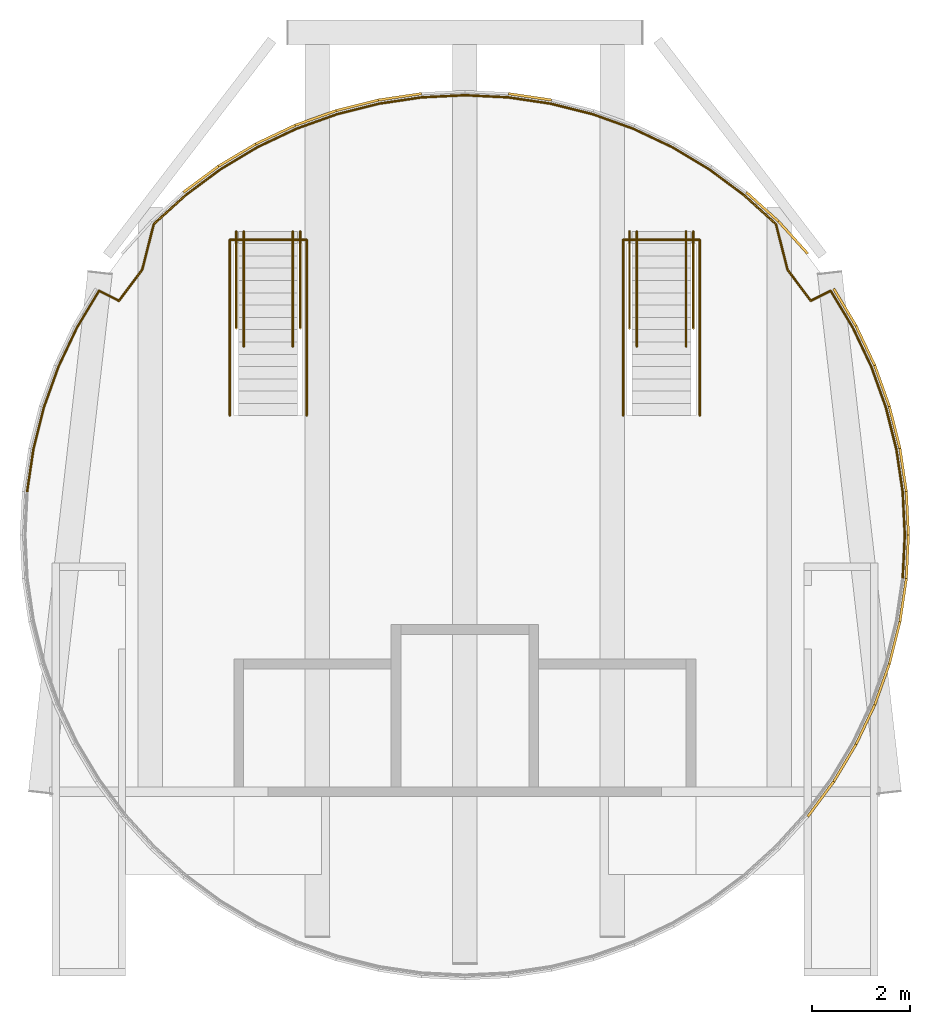
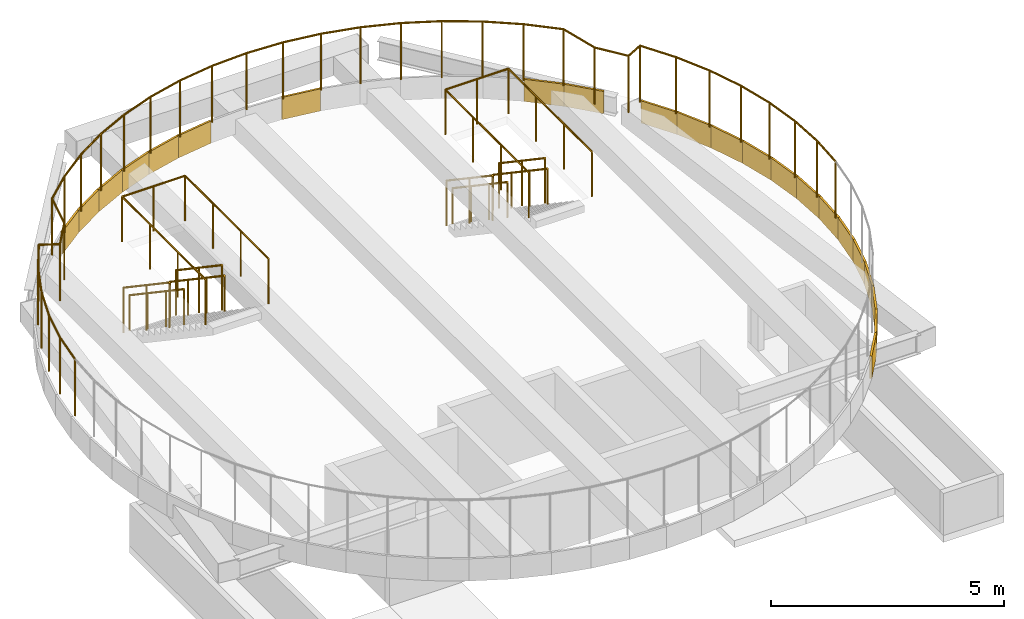
# One storey, part 3 of 4: 22 shading devices, 12 railings.
"""IFC4 building model written with IfcOpenShell, lengths in metres."""

from ifc_helpers import new_model, si_unit, direction, frame, origin, origin_2d, place, context, subcontext, project, spatial, polyline, circle, outline, extrude, material, layer, layer_set, type_object, element, save


model = new_model("IFC4")

# Units and contexts
model_context = context("Model", 3, precision=1e-05, world=origin(), true_north=direction((0.0, 1.0)))
body_context = subcontext(model_context, "Body", "Model", "MODEL_VIEW")
ifc_project = project(units=[si_unit("LENGTHUNIT", "METRE"), si_unit("AREAUNIT", "SQUARE_METRE"), si_unit("VOLUMEUNIT", "CUBIC_METRE"), si_unit("PLANEANGLEUNIT", "RADIAN"), si_unit("MASSUNIT", "GRAM", prefix="KILO")], contexts=[model_context])

# Site, building, storey
site_placement = place(None, origin())
site = spatial("IfcSite", under=ifc_project, at=site_placement, CompositionType="ELEMENT")
building_placement = place(site_placement, origin())
building = spatial("IfcBuilding", under=site, at=building_placement, Name="Fogline Exchange Tower", CompositionType="ELEMENT")
storey_placement = place(building_placement, frame((0.0, 0.0, 372.10009765625)))
storey = spatial("IfcBuildingStorey", under=building, at=storey_placement, Name="RF-3", CompositionType="ELEMENT", Elevation=372.10009765625)

# Railings
ifc_material_1 = material(Name="Stainless steel 304", Category="steel")
railing_type_1 = type_object("IfcRailingType", Name="G1", PredefinedType="GUARDRAIL", material=ifc_material_1)
for number, where, name in (
    (1, (-3.35009765625, 17.14990234375, 0.168701171875), "Pad stair guard HS3U"),
    (2, (-4.64990234375, 17.14990234375, 0.168701171875), "Pad stair guard HS3U"),
):
    element("IfcRailing", number, at=place(storey_placement, frame(where)), inside=storey, type_object=railing_type_1, Name=name, PredefinedType="GUARDRAIL", context=body_context, shape_type="SweptSolid", body=[
        extrude(circle(Radius=0.02392578125, at=origin_2d()), frame((0.0, 0.0, 1.17578125), z_axis=(0.0, -0.828832020996, 0.559497525438), x_axis=(1.0, 0.0, 0.0)), (0.0, 0.0, 1.0), 2.37939453125),
        extrude(circle(Radius=0.02099609375, at=origin_2d()), origin(), (0.0, 0.0, 1.0), 1.15185546875),
        extrude(circle(Radius=0.02099609375, at=origin_2d()), frame((0.0, -0.986083984375, 0.66552734375)), (0.0, 0.0, 1.0), 1.15185546875),
        extrude(circle(Radius=0.02099609375, at=origin_2d()), frame((0.0, -1.97216796875, 1.331298828125)), (0.0, 0.0, 1.0), 1.15185546875),
    ])
railing_1_placement = place(storey_placement, frame((-4.780029296875, 13.402099609375, 2.699951171875)))
element("IfcRailing", 3, at=railing_1_placement, inside=storey, type_object=railing_type_1, Name="Helipad stair opening guard", PredefinedType="GUARDRAIL", context=body_context, shape_type="SweptSolid", body=[
    extrude(circle(Radius=0.02392578125, at=origin_2d()), frame((0.0, 0.0, 1.17578125), z_axis=(0.0, 1.0, 0.0), x_axis=(-1.0, 0.0, 0.0)), (0.0, 0.0, 1.0), 3.577880859375),
    extrude(circle(Radius=0.02392578125, at=origin_2d()), frame((0.0, 3.577880859375, 1.17578125), z_axis=(1.0, 0.0, 0.0), x_axis=(0.0, 1.0, 0.0)), (0.0, 0.0, 1.0), 1.56005859375),
    extrude(circle(Radius=0.02392578125, at=origin_2d()), frame((1.56005859375, 3.577880859375, 1.17578125), z_axis=(0.0, -1.0, 0.0), x_axis=(1.0, 0.0, 0.0)), (0.0, 0.0, 1.0), 3.577880859375),
    extrude(circle(Radius=0.02099609375, at=origin_2d()), origin(), (0.0, 0.0, 1.0), 1.15185546875),
    extrude(circle(Radius=0.02099609375, at=origin_2d()), frame((0.0, 1.192626953125, 0.0)), (0.0, 0.0, 1.0), 1.15185546875),
    extrude(circle(Radius=0.02099609375, at=origin_2d()), frame((0.0, 2.38525390625, 0.0)), (0.0, 0.0, 1.0), 1.15185546875),
    extrude(circle(Radius=0.02099609375, at=origin_2d()), frame((0.0, 3.577880859375, 0.0)), (0.0, 0.0, 1.0), 1.15185546875),
    extrude(circle(Radius=0.02099609375, at=origin_2d()), frame((0.780029296875, 3.577880859375, 0.0)), (0.0, 0.0, 1.0), 1.15185546875),
    extrude(circle(Radius=0.02099609375, at=origin_2d()), frame((1.56005859375, 3.577880859375, 0.0)), (0.0, 0.0, 1.0), 1.15185546875),
    extrude(circle(Radius=0.02099609375, at=origin_2d()), frame((1.56005859375, 2.38525390625, 0.0)), (0.0, 0.0, 1.0), 1.15185546875),
    extrude(circle(Radius=0.02099609375, at=origin_2d()), frame((1.56005859375, 1.192626953125, 0.0)), (0.0, 0.0, 1.0), 1.15185546875),
    extrude(circle(Radius=0.02099609375, at=origin_2d()), frame((1.56005859375, 0.0, 0.0)), (0.0, 0.0, 1.0), 1.15185546875),
])
for number, where, name in (
    (4, (3.35009765625, 17.14990234375, 0.168701171875), "Pad stair guard HS4U"),
    (5, (4.64990234375, 17.14990234375, 0.168701171875), "Pad stair guard HS4U"),
):
    element("IfcRailing", number, at=place(storey_placement, frame(where)), inside=storey, type_object=railing_type_1, Name=name, PredefinedType="GUARDRAIL", context=body_context, shape_type="SweptSolid", body=[
        extrude(circle(Radius=0.02392578125, at=origin_2d()), frame((0.0, 0.0, 1.17578125), z_axis=(0.0, -0.828832020996, 0.559497525438), x_axis=(1.0, 0.0, 0.0)), (0.0, 0.0, 1.0), 2.37939453125),
        extrude(circle(Radius=0.02099609375, at=origin_2d()), origin(), (0.0, 0.0, 1.0), 1.15185546875),
        extrude(circle(Radius=0.02099609375, at=origin_2d()), frame((0.0, -0.986083984375, 0.66552734375)), (0.0, 0.0, 1.0), 1.15185546875),
        extrude(circle(Radius=0.02099609375, at=origin_2d()), frame((0.0, -1.97216796875, 1.331298828125)), (0.0, 0.0, 1.0), 1.15185546875),
    ])
railing_2_placement = place(storey_placement, frame((3.219970703125, 13.402099609375, 2.699951171875)))
element("IfcRailing", 6, at=railing_2_placement, inside=storey, type_object=railing_type_1, Name="Helipad stair opening guard", PredefinedType="GUARDRAIL", context=body_context, shape_type="SweptSolid", body=[
    extrude(circle(Radius=0.02392578125, at=origin_2d()), frame((0.0, 0.0, 1.17578125), z_axis=(0.0, 1.0, 0.0), x_axis=(-1.0, 0.0, 0.0)), (0.0, 0.0, 1.0), 3.577880859375),
    extrude(circle(Radius=0.02392578125, at=origin_2d()), frame((0.0, 3.577880859375, 1.17578125), z_axis=(1.0, 0.0, 0.0), x_axis=(0.0, 1.0, 0.0)), (0.0, 0.0, 1.0), 1.56005859375),
    extrude(circle(Radius=0.02392578125, at=origin_2d()), frame((1.56005859375, 3.577880859375, 1.17578125), z_axis=(0.0, -1.0, 0.0), x_axis=(1.0, 0.0, 0.0)), (0.0, 0.0, 1.0), 3.577880859375),
    extrude(circle(Radius=0.02099609375, at=origin_2d()), origin(), (0.0, 0.0, 1.0), 1.15185546875),
    extrude(circle(Radius=0.02099609375, at=origin_2d()), frame((0.0, 1.192626953125, 0.0)), (0.0, 0.0, 1.0), 1.15185546875),
    extrude(circle(Radius=0.02099609375, at=origin_2d()), frame((0.0, 2.38525390625, 0.0)), (0.0, 0.0, 1.0), 1.15185546875),
    extrude(circle(Radius=0.02099609375, at=origin_2d()), frame((0.0, 3.577880859375, 0.0)), (0.0, 0.0, 1.0), 1.15185546875),
    extrude(circle(Radius=0.02099609375, at=origin_2d()), frame((0.780029296875, 3.577880859375, 0.0)), (0.0, 0.0, 1.0), 1.15185546875),
    extrude(circle(Radius=0.02099609375, at=origin_2d()), frame((1.56005859375, 3.577880859375, 0.0)), (0.0, 0.0, 1.0), 1.15185546875),
    extrude(circle(Radius=0.02099609375, at=origin_2d()), frame((1.56005859375, 2.38525390625, 0.0)), (0.0, 0.0, 1.0), 1.15185546875),
    extrude(circle(Radius=0.02099609375, at=origin_2d()), frame((1.56005859375, 1.192626953125, 0.0)), (0.0, 0.0, 1.0), 1.15185546875),
    extrude(circle(Radius=0.02099609375, at=origin_2d()), frame((1.56005859375, 0.0, 0.0)), (0.0, 0.0, 1.0), 1.15185546875),
])
railing_type_2 = type_object("IfcRailingType", Name="G2", PredefinedType="GUARDRAIL", material=ifc_material_1)
railing_3_placement = place(storey_placement, frame((-8.906982421875, 11.847412109375, 2.699951171875)))
element("IfcRailing", 7, at=railing_3_placement, inside=storey, type_object=railing_type_2, Name="Helipad safety net guard", PredefinedType="GUARDRAIL", context=body_context, shape_type="SweptSolid", body=[
    extrude(circle(Radius=0.02392578125, at=origin_2d()), frame((0.0, 0.0, 1.47607421875), z_axis=(0.146790471398, 0.989167608399, 0.0), x_axis=(-0.989167608399, 0.146790471398, 0.0)), (0.0, 0.0, 1.0), 0.878173828125),
    extrude(circle(Radius=0.02392578125, at=origin_2d()), frame((0.12890625, 0.86865234375, 1.47607421875), z_axis=(0.24292800472, 0.970044320906, 0.0), x_axis=(-0.970044320906, 0.24292800472, 0.0)), (0.0, 0.0, 1.0), 0.87841796875),
    extrude(circle(Radius=0.02392578125, at=origin_2d()), frame((0.34228515625, 1.720703125, 1.47607421875), z_axis=(0.336917459354, 0.941534187155, 0.0), x_axis=(-0.941534187155, 0.336917459354, 0.0)), (0.0, 0.0, 1.0), 0.878173828125),
    extrude(circle(Radius=0.02392578125, at=origin_2d()), frame((0.63818359375, 2.547607421875, 1.47607421875), z_axis=(0.427536590389, 0.903998044178, 0.0), x_axis=(-0.903998044178, 0.427536590389, 0.0)), (0.0, 0.0, 1.0), 0.878173828125),
    extrude(circle(Radius=0.02392578125, at=origin_2d()), frame((1.013671875, 3.341552734375, 1.47607421875), z_axis=(0.51416874267, 0.857689048584, 0.0), x_axis=(-0.857689048584, 0.51416874267, 0.0)), (0.0, 0.0, 1.0), 0.87841796875),
    extrude(circle(Radius=0.02392578125, at=origin_2d()), frame((1.46533203125, 4.094970703125, 1.47607421875), z_axis=(0.892154411471, -0.451730568029, 0.0), x_axis=(0.451730568029, 0.892154411471, 0.0)), (0.0, 0.0, 1.0), 0.453369140625),
    extrude(circle(Radius=0.02392578125, at=origin_2d()), frame((1.869873046875, 3.89013671875, 1.47607421875), z_axis=(0.598862821399, 0.800851622428, 0.0), x_axis=(-0.800851622428, 0.598862821399, 0.0)), (0.0, 0.0, 1.0), 0.79052734375),
    extrude(circle(Radius=0.02392578125, at=origin_2d()), frame((2.34326171875, 4.523193359375, 1.47607421875), z_axis=(0.245594789477, 0.969372580271, 0.0), x_axis=(-0.969372580271, 0.245594789477, 0.0)), (0.0, 0.0, 1.0), 0.957275390625),
    extrude(circle(Radius=0.02392578125, at=origin_2d()), frame((2.578369140625, 5.451171875, 1.47607421875), z_axis=(0.740995595173, 0.671509886699, 0.0), x_axis=(-0.671509886699, 0.740995595173, 0.0)), (0.0, 0.0, 1.0), 0.87841796875),
    extrude(circle(Radius=0.02392578125, at=origin_2d()), frame((3.229248046875, 6.041015625, 1.47607421875), z_axis=(0.803158103208, 0.595765945024, 0.0), x_axis=(-0.595765945024, 0.803158103208, 0.0)), (0.0, 0.0, 1.0), 0.878173828125),
    extrude(circle(Radius=0.02392578125, at=origin_2d()), frame((3.9345703125, 6.564208984375, 1.47607421875), z_axis=(0.857689048584, 0.51416874267, 0.0), x_axis=(-0.51416874267, 0.857689048584, 0.0)), (0.0, 0.0, 1.0), 0.87841796875),
    extrude(circle(Radius=0.02392578125, at=origin_2d()), frame((4.68798828125, 7.015869140625, 1.47607421875), z_axis=(0.903998044178, 0.427536590389, 0.0), x_axis=(-0.427536590389, 0.903998044178, 0.0)), (0.0, 0.0, 1.0), 0.878173828125),
    extrude(circle(Radius=0.02392578125, at=origin_2d()), frame((5.48193359375, 7.391357421875, 1.47607421875), z_axis=(0.941534187155, 0.336917459354, 0.0), x_axis=(-0.336917459354, 0.941534187155, 0.0)), (0.0, 0.0, 1.0), 0.878173828125),
    extrude(circle(Radius=0.02392578125, at=origin_2d()), frame((6.308837890625, 7.687255859375, 1.47607421875), z_axis=(0.970044320906, 0.24292800472, 0.0), x_axis=(-0.24292800472, 0.970044320906, 0.0)), (0.0, 0.0, 1.0), 0.87841796875),
    extrude(circle(Radius=0.02392578125, at=origin_2d()), frame((7.160888671875, 7.900634765625, 1.47607421875), z_axis=(0.989173596382, 0.146750114889, 0.0), x_axis=(-0.146750114889, 0.989173596382, 0.0)), (0.0, 0.0, 1.0), 0.87841796875),
    extrude(circle(Radius=0.02392578125, at=origin_2d()), frame((8.02978515625, 8.029541015625, 1.47607421875), z_axis=(0.998802431913, 0.048925473982, 0.0), x_axis=(-0.048925473982, 0.998802431913, 0.0)), (0.0, 0.0, 1.0), 0.878173828125),
    extrude(circle(Radius=0.02392578125, at=origin_2d()), frame((8.906982421875, 8.072509765625, 1.47607421875), z_axis=(0.998802431913, -0.048925473982, 0.0), x_axis=(0.048925473982, 0.998802431913, 0.0)), (0.0, 0.0, 1.0), 0.878173828125),
    extrude(circle(Radius=0.02099609375, at=origin_2d()), origin(), (0.0, 0.0, 1.0), 1.451904296875),
    extrude(circle(Radius=0.02099609375, at=origin_2d()), frame((0.12890625, 0.86865234375, 0.0)), (0.0, 0.0, 1.0), 1.451904296875),
    extrude(circle(Radius=0.02099609375, at=origin_2d()), frame((0.34228515625, 1.720703125, 0.0)), (0.0, 0.0, 1.0), 1.451904296875),
    extrude(circle(Radius=0.02099609375, at=origin_2d()), frame((0.63818359375, 2.547607421875, 0.0)), (0.0, 0.0, 1.0), 1.451904296875),
    extrude(circle(Radius=0.02099609375, at=origin_2d()), frame((1.013671875, 3.341552734375, 0.0)), (0.0, 0.0, 1.0), 1.451904296875),
    extrude(circle(Radius=0.02099609375, at=origin_2d()), frame((1.46533203125, 4.094970703125, 0.0)), (0.0, 0.0, 1.0), 1.451904296875),
    extrude(circle(Radius=0.02099609375, at=origin_2d()), frame((1.869873046875, 3.89013671875, 0.0)), (0.0, 0.0, 1.0), 1.451904296875),
    extrude(circle(Radius=0.02099609375, at=origin_2d()), frame((2.34326171875, 4.523193359375, 0.0)), (0.0, 0.0, 1.0), 1.451904296875),
    extrude(circle(Radius=0.02099609375, at=origin_2d()), frame((2.578369140625, 5.451171875, 0.0)), (0.0, 0.0, 1.0), 1.451904296875),
    extrude(circle(Radius=0.02099609375, at=origin_2d()), frame((3.229248046875, 6.041015625, 0.0)), (0.0, 0.0, 1.0), 1.451904296875),
    extrude(circle(Radius=0.02099609375, at=origin_2d()), frame((3.9345703125, 6.564208984375, 0.0)), (0.0, 0.0, 1.0), 1.451904296875),
    extrude(circle(Radius=0.02099609375, at=origin_2d()), frame((4.68798828125, 7.015869140625, 0.0)), (0.0, 0.0, 1.0), 1.451904296875),
    extrude(circle(Radius=0.02099609375, at=origin_2d()), frame((5.48193359375, 7.391357421875, 0.0)), (0.0, 0.0, 1.0), 1.451904296875),
    extrude(circle(Radius=0.02099609375, at=origin_2d()), frame((6.308837890625, 7.687255859375, 0.0)), (0.0, 0.0, 1.0), 1.451904296875),
    extrude(circle(Radius=0.02099609375, at=origin_2d()), frame((7.160888671875, 7.900634765625, 0.0)), (0.0, 0.0, 1.0), 1.451904296875),
    extrude(circle(Radius=0.02099609375, at=origin_2d()), frame((8.02978515625, 8.029541015625, 0.0)), (0.0, 0.0, 1.0), 1.451904296875),
    extrude(circle(Radius=0.02099609375, at=origin_2d()), frame((8.906982421875, 8.072509765625, 0.0)), (0.0, 0.0, 1.0), 1.451904296875),
    extrude(circle(Radius=0.02099609375, at=origin_2d()), frame((9.7841796875, 8.029541015625, 0.0)), (0.0, 0.0, 1.0), 1.451904296875),
])
railing_4_placement = place(storey_placement, frame((0.877197265625, 19.876953125, 2.699951171875)))
element("IfcRailing", 8, at=railing_4_placement, inside=storey, type_object=railing_type_2, Name="Helipad safety net guard", PredefinedType="GUARDRAIL", context=body_context, shape_type="SweptSolid", body=[
    extrude(circle(Radius=0.02392578125, at=origin_2d()), frame((0.0, 0.0, 1.47607421875), z_axis=(0.989173596382, -0.146750114889, 0.0), x_axis=(0.146750114889, 0.989173596382, 0.0)), (0.0, 0.0, 1.0), 0.87841796875),
    extrude(circle(Radius=0.02392578125, at=origin_2d()), frame((0.868896484375, -0.12890625, 1.47607421875), z_axis=(0.970044320906, -0.24292800472, 0.0), x_axis=(0.24292800472, 0.970044320906, 0.0)), (0.0, 0.0, 1.0), 0.87841796875),
    extrude(circle(Radius=0.02392578125, at=origin_2d()), frame((1.720947265625, -0.34228515625, 1.47607421875), z_axis=(0.941534187155, -0.336917459354, 0.0), x_axis=(0.336917459354, 0.941534187155, 0.0)), (0.0, 0.0, 1.0), 0.878173828125),
    extrude(circle(Radius=0.02392578125, at=origin_2d()), frame((2.5478515625, -0.63818359375, 1.47607421875), z_axis=(0.903998044178, -0.427536590389, 0.0), x_axis=(0.427536590389, 0.903998044178, 0.0)), (0.0, 0.0, 1.0), 0.878173828125),
    extrude(circle(Radius=0.02392578125, at=origin_2d()), frame((3.341796875, -1.013671875, 1.47607421875), z_axis=(0.857689048584, -0.51416874267, 0.0), x_axis=(0.51416874267, 0.857689048584, 0.0)), (0.0, 0.0, 1.0), 0.87841796875),
    extrude(circle(Radius=0.02392578125, at=origin_2d()), frame((4.09521484375, -1.46533203125, 1.47607421875), z_axis=(0.803158103208, -0.595765945024, 0.0), x_axis=(0.595765945024, 0.803158103208, 0.0)), (0.0, 0.0, 1.0), 0.878173828125),
    extrude(circle(Radius=0.02392578125, at=origin_2d()), frame((4.800537109375, -1.988525390625, 1.47607421875), z_axis=(0.740995595173, -0.671509886699, 0.0), x_axis=(0.671509886699, 0.740995595173, 0.0)), (0.0, 0.0, 1.0), 0.87841796875),
    extrude(circle(Radius=0.02392578125, at=origin_2d()), frame((5.451416015625, -2.578369140625, 1.47607421875), z_axis=(0.245594789477, -0.969372580271, 0.0), x_axis=(0.969372580271, 0.245594789477, 0.0)), (0.0, 0.0, 1.0), 0.957275390625),
    extrude(circle(Radius=0.02392578125, at=origin_2d()), frame((5.6865234375, -3.50634765625, 1.47607421875), z_axis=(0.598862821399, -0.800851622428, 0.0), x_axis=(0.800851622428, 0.598862821399, 0.0)), (0.0, 0.0, 1.0), 0.79052734375),
    extrude(circle(Radius=0.02392578125, at=origin_2d()), frame((6.159912109375, -4.139404296875, 1.47607421875), z_axis=(0.892154411471, 0.451730568029, 0.0), x_axis=(-0.451730568029, 0.892154411471, 0.0)), (0.0, 0.0, 1.0), 0.453369140625),
    extrude(circle(Radius=0.02392578125, at=origin_2d()), frame((6.564453125, -3.9345703125, 1.47607421875), z_axis=(0.51416874267, -0.857689048584, 0.0), x_axis=(0.857689048584, 0.51416874267, 0.0)), (0.0, 0.0, 1.0), 0.87841796875),
    extrude(circle(Radius=0.02392578125, at=origin_2d()), frame((7.01611328125, -4.68798828125, 1.47607421875), z_axis=(0.427536590389, -0.903998044178, 0.0), x_axis=(0.903998044178, 0.427536590389, 0.0)), (0.0, 0.0, 1.0), 0.878173828125),
    extrude(circle(Radius=0.02392578125, at=origin_2d()), frame((7.3916015625, -5.48193359375, 1.47607421875), z_axis=(0.336917459354, -0.941534187155, 0.0), x_axis=(0.941534187155, 0.336917459354, 0.0)), (0.0, 0.0, 1.0), 0.878173828125),
    extrude(circle(Radius=0.02392578125, at=origin_2d()), frame((7.6875, -6.308837890625, 1.47607421875), z_axis=(0.24292800472, -0.970044320906, 0.0), x_axis=(0.970044320906, 0.24292800472, 0.0)), (0.0, 0.0, 1.0), 0.87841796875),
    extrude(circle(Radius=0.02392578125, at=origin_2d()), frame((7.90087890625, -7.160888671875, 1.47607421875), z_axis=(0.146790471398, -0.989167608399, 0.0), x_axis=(0.989167608399, 0.146790471398, 0.0)), (0.0, 0.0, 1.0), 0.878173828125),
    extrude(circle(Radius=0.02392578125, at=origin_2d()), frame((8.02978515625, -8.029541015625, 1.47607421875), z_axis=(0.048911893456, -0.998803097051, 0.0), x_axis=(0.998803097051, 0.048911893456, 0.0)), (0.0, 0.0, 1.0), 0.87841796875),
    extrude(circle(Radius=0.02392578125, at=origin_2d()), frame((8.07275390625, -8.906982421875, 1.47607421875), z_axis=(-0.048925473982, -0.998802431913, 0.0), x_axis=(0.998802431913, -0.048925473982, 0.0)), (0.0, 0.0, 1.0), 0.878173828125),
    extrude(circle(Radius=0.02099609375, at=origin_2d()), origin(), (0.0, 0.0, 1.0), 1.451904296875),
    extrude(circle(Radius=0.02099609375, at=origin_2d()), frame((0.868896484375, -0.12890625, 0.0)), (0.0, 0.0, 1.0), 1.451904296875),
    extrude(circle(Radius=0.02099609375, at=origin_2d()), frame((1.720947265625, -0.34228515625, 0.0)), (0.0, 0.0, 1.0), 1.451904296875),
    extrude(circle(Radius=0.02099609375, at=origin_2d()), frame((2.5478515625, -0.63818359375, 0.0)), (0.0, 0.0, 1.0), 1.451904296875),
    extrude(circle(Radius=0.02099609375, at=origin_2d()), frame((3.341796875, -1.013671875, 0.0)), (0.0, 0.0, 1.0), 1.451904296875),
    extrude(circle(Radius=0.02099609375, at=origin_2d()), frame((4.09521484375, -1.46533203125, 0.0)), (0.0, 0.0, 1.0), 1.451904296875),
    extrude(circle(Radius=0.02099609375, at=origin_2d()), frame((4.800537109375, -1.988525390625, 0.0)), (0.0, 0.0, 1.0), 1.451904296875),
    extrude(circle(Radius=0.02099609375, at=origin_2d()), frame((5.451416015625, -2.578369140625, 0.0)), (0.0, 0.0, 1.0), 1.451904296875),
    extrude(circle(Radius=0.02099609375, at=origin_2d()), frame((5.6865234375, -3.50634765625, 0.0)), (0.0, 0.0, 1.0), 1.451904296875),
    extrude(circle(Radius=0.02099609375, at=origin_2d()), frame((6.159912109375, -4.139404296875, 0.0)), (0.0, 0.0, 1.0), 1.451904296875),
    extrude(circle(Radius=0.02099609375, at=origin_2d()), frame((6.564453125, -3.9345703125, 0.0)), (0.0, 0.0, 1.0), 1.451904296875),
    extrude(circle(Radius=0.02099609375, at=origin_2d()), frame((7.01611328125, -4.68798828125, 0.0)), (0.0, 0.0, 1.0), 1.451904296875),
    extrude(circle(Radius=0.02099609375, at=origin_2d()), frame((7.3916015625, -5.48193359375, 0.0)), (0.0, 0.0, 1.0), 1.451904296875),
    extrude(circle(Radius=0.02099609375, at=origin_2d()), frame((7.6875, -6.308837890625, 0.0)), (0.0, 0.0, 1.0), 1.451904296875),
    extrude(circle(Radius=0.02099609375, at=origin_2d()), frame((7.90087890625, -7.160888671875, 0.0)), (0.0, 0.0, 1.0), 1.451904296875),
    extrude(circle(Radius=0.02099609375, at=origin_2d()), frame((8.02978515625, -8.029541015625, 0.0)), (0.0, 0.0, 1.0), 1.451904296875),
    extrude(circle(Radius=0.02099609375, at=origin_2d()), frame((8.07275390625, -8.906982421875, 0.0)), (0.0, 0.0, 1.0), 1.451904296875),
    extrude(circle(Radius=0.02099609375, at=origin_2d()), frame((8.02978515625, -9.7841796875, 0.0)), (0.0, 0.0, 1.0), 1.451904296875),
])
railing_type_3 = type_object("IfcRailingType", Name="G3", PredefinedType="HANDRAIL", material=ifc_material_1)
for number, where, name in (
    (9, (-3.5, 17.14990234375, 0.168701171875), "Pad stair handrail HS3U"),
    (10, (-4.5, 17.14990234375, 0.168701171875), "Pad stair handrail HS3U"),
    (11, (3.5, 17.14990234375, 0.168701171875), "Pad stair handrail HS4U"),
    (12, (4.5, 17.14990234375, 0.168701171875), "Pad stair handrail HS4U"),
):
    element("IfcRailing", number, at=place(storey_placement, frame(where)), inside=storey, type_object=railing_type_3, Name=name, PredefinedType="HANDRAIL", context=body_context, shape_type="SweptSolid", body=[
        extrude(circle(Radius=0.02392578125, at=origin_2d()), frame((0.0, 0.0, 0.92578125), z_axis=(0.0, -0.828833652463, 0.559495108598), x_axis=(1.0, 0.0, 0.0)), (0.0, 0.0, 1.0), 2.826416015625),
        extrude(circle(Radius=0.02099609375, at=origin_2d()), origin(), (0.0, 0.0, 1.0), 0.90185546875),
        extrude(circle(Radius=0.02099609375, at=origin_2d()), frame((0.0, -0.78076171875, 0.527099609375)), (0.0, 0.0, 1.0), 0.90185546875),
        extrude(circle(Radius=0.02099609375, at=origin_2d()), frame((0.0, -1.561767578125, 1.05419921875)), (0.0, 0.0, 1.0), 0.90185546875),
        extrude(circle(Radius=0.02099609375, at=origin_2d()), frame((0.0, -2.342529296875, 1.581298828125)), (0.0, 0.0, 1.0), 0.90185546875),
    ])

# Shading devices
ifc_material_2 = material(Name="Aluminium louvre", Category="aluminium")
ifc_layer = layer(ifc_material_2, 0.050048828125)
ifc_layer_set = layer_set([ifc_layer], Name="LV1")
shading_device_type = type_object("IfcShadingDeviceType", Name="LV1", PredefinedType="SHUTTER", material=ifc_layer_set)
shading_device_1_placement = place(storey_placement, frame((0.0, 0.0, 2.119873046875)))
element("IfcShadingDevice", 13, at=shading_device_1_placement, inside=storey, type_object=shading_device_type, Name="Helipad louvre skirt", PredefinedType="SHUTTER", context=body_context, shape_type="SweptSolid", body=[
    extrude(outline(polyline([(9.0, 10.969970703125), (9.050048828125, 10.969970703125), (9.00634765625, 11.857177734375), (8.956787109375, 11.852294921875), (9.0, 10.969970703125)])), origin(), (0.0, 0.0, 1.0), 0.580078125),
])
shading_device_2_placement = place(storey_placement, frame((0.0, 0.0, 2.119873046875)))
element("IfcShadingDevice", 14, at=shading_device_2_placement, inside=storey, type_object=shading_device_type, Name="Helipad louvre skirt", PredefinedType="SHUTTER", context=body_context, shape_type="SweptSolid", body=[
    extrude(outline(polyline([(8.956787109375, 11.852294921875), (9.00634765625, 11.857177734375), (8.876220703125, 12.735595703125), (8.8271484375, 12.725830078125), (8.956787109375, 11.852294921875)])), origin(), (0.0, 0.0, 1.0), 0.580078125),
])
shading_device_3_placement = place(storey_placement, frame((0.0, 0.0, 2.119873046875)))
element("IfcShadingDevice", 15, at=shading_device_3_placement, inside=storey, type_object=shading_device_type, Name="Helipad louvre skirt", PredefinedType="SHUTTER", context=body_context, shape_type="SweptSolid", body=[
    extrude(outline(polyline([(8.8271484375, 12.725830078125), (8.876220703125, 12.735595703125), (8.660400390625, 13.59716796875), (8.612548828125, 13.58251953125), (8.8271484375, 12.725830078125)])), origin(), (0.0, 0.0, 1.0), 0.580078125),
])
shading_device_4_placement = place(storey_placement, frame((0.0, 0.0, 2.119873046875)))
element("IfcShadingDevice", 16, at=shading_device_4_placement, inside=storey, type_object=shading_device_type, Name="Helipad louvre skirt", PredefinedType="SHUTTER", context=body_context, shape_type="SweptSolid", body=[
    extrude(outline(polyline([(8.612548828125, 13.58251953125), (8.660400390625, 13.59716796875), (8.361083984375, 14.433349609375), (8.31494140625, 14.414306640625), (8.612548828125, 13.58251953125)])), origin(), (0.0, 0.0, 1.0), 0.580078125),
])
shading_device_5_placement = place(storey_placement, frame((0.0, 0.0, 2.119873046875)))
element("IfcShadingDevice", 17, at=shading_device_5_placement, inside=storey, type_object=shading_device_type, Name="Helipad louvre skirt", PredefinedType="SHUTTER", context=body_context, shape_type="SweptSolid", body=[
    extrude(outline(polyline([(8.31494140625, 14.414306640625), (8.361083984375, 14.433349609375), (7.9814453125, 15.236083984375), (7.937255859375, 15.212646484375), (8.31494140625, 14.414306640625)])), origin(), (0.0, 0.0, 1.0), 0.580078125),
])
shading_device_6_placement = place(storey_placement, frame((0.0, 0.0, 2.119873046875)))
element("IfcShadingDevice", 18, at=shading_device_6_placement, inside=storey, type_object=shading_device_type, Name="Helipad louvre skirt", PredefinedType="SHUTTER", context=body_context, shape_type="SweptSolid", body=[
    extrude(outline(polyline([(7.937255859375, 15.212646484375), (7.9814453125, 15.236083984375), (7.52490234375, 15.997802734375), (7.483154296875, 15.97021484375), (7.937255859375, 15.212646484375)])), origin(), (0.0, 0.0, 1.0), 0.580078125),
])
shading_device_7_placement = place(storey_placement, frame((0.0, 0.0, 2.119873046875)))
element("IfcShadingDevice", 19, at=shading_device_7_placement, inside=storey, type_object=shading_device_type, Name="Helipad louvre skirt", PredefinedType="SHUTTER", context=body_context, shape_type="SweptSolid", body=[
    extrude(outline(polyline([(6.95703125, 16.679443359375), (6.99560546875, 16.711181640625), (6.3994140625, 17.369384765625), (6.364013671875, 17.333984375), (6.95703125, 16.679443359375)])), origin(), (0.0, 0.0, 1.0), 0.580078125),
])
shading_device_8_placement = place(storey_placement, frame((0.0, 0.0, 2.119873046875)))
element("IfcShadingDevice", 20, at=shading_device_8_placement, inside=storey, type_object=shading_device_type, Name="Helipad louvre skirt", PredefinedType="SHUTTER", context=body_context, shape_type="SweptSolid", body=[
    extrude(outline(polyline([(6.364013671875, 17.333984375), (6.3994140625, 17.369384765625), (5.7412109375, 17.9658203125), (5.70947265625, 17.927001953125), (6.364013671875, 17.333984375)])), origin(), (0.0, 0.0, 1.0), 0.580078125),
])
shading_device_9_placement = place(storey_placement, frame((0.0, 0.0, 2.119873046875)))
element("IfcShadingDevice", 21, at=shading_device_9_placement, inside=storey, type_object=shading_device_type, Name="Helipad louvre skirt", PredefinedType="SHUTTER", context=body_context, shape_type="SweptSolid", body=[
    extrude(outline(polyline([(1.755859375, 19.797119140625), (1.765625, 19.84619140625), (0.88720703125, 19.976318359375), (0.882080078125, 19.9267578125), (1.755859375, 19.797119140625)])), origin(), (0.0, 0.0, 1.0), 0.580078125),
])
shading_device_10_placement = place(storey_placement, frame((0.0, 0.0, 2.119873046875)))
element("IfcShadingDevice", 22, at=shading_device_10_placement, inside=storey, type_object=shading_device_type, Name="Helipad louvre skirt", PredefinedType="SHUTTER", context=body_context, shape_type="SweptSolid", body=[
    extrude(outline(polyline([(-0.882080078125, 19.9267578125), (-0.88720703125, 19.976318359375), (-1.765625, 19.84619140625), (-1.755859375, 19.797119140625), (-0.882080078125, 19.9267578125)])), origin(), (0.0, 0.0, 1.0), 0.580078125),
])
shading_device_11_placement = place(storey_placement, frame((0.0, 0.0, 2.119873046875)))
element("IfcShadingDevice", 23, at=shading_device_11_placement, inside=storey, type_object=shading_device_type, Name="Helipad louvre skirt", PredefinedType="SHUTTER", context=body_context, shape_type="SweptSolid", body=[
    extrude(outline(polyline([(-1.755859375, 19.797119140625), (-1.765625, 19.84619140625), (-2.627197265625, 19.63037109375), (-2.612548828125, 19.58251953125), (-1.755859375, 19.797119140625)])), origin(), (0.0, 0.0, 1.0), 0.580078125),
])
shading_device_12_placement = place(storey_placement, frame((0.0, 0.0, 2.119873046875)))
element("IfcShadingDevice", 24, at=shading_device_12_placement, inside=storey, type_object=shading_device_type, Name="Helipad louvre skirt", PredefinedType="SHUTTER", context=body_context, shape_type="SweptSolid", body=[
    extrude(outline(polyline([(-2.612548828125, 19.58251953125), (-2.627197265625, 19.63037109375), (-3.46337890625, 19.3310546875), (-3.444091796875, 19.284912109375), (-2.612548828125, 19.58251953125)])), origin(), (0.0, 0.0, 1.0), 0.580078125),
])
shading_device_13_placement = place(storey_placement, frame((0.0, 0.0, 2.119873046875)))
element("IfcShadingDevice", 25, at=shading_device_13_placement, inside=storey, type_object=shading_device_type, Name="Helipad louvre skirt", PredefinedType="SHUTTER", context=body_context, shape_type="SweptSolid", body=[
    extrude(outline(polyline([(-3.444091796875, 19.284912109375), (-3.46337890625, 19.3310546875), (-4.26611328125, 18.951416015625), (-4.24267578125, 18.9072265625), (-3.444091796875, 19.284912109375)])), origin(), (0.0, 0.0, 1.0), 0.580078125),
])
shading_device_14_placement = place(storey_placement, frame((0.0, 0.0, 2.119873046875)))
element("IfcShadingDevice", 26, at=shading_device_14_placement, inside=storey, type_object=shading_device_type, Name="Helipad louvre skirt", PredefinedType="SHUTTER", context=body_context, shape_type="SweptSolid", body=[
    extrude(outline(polyline([(-4.24267578125, 18.9072265625), (-4.26611328125, 18.951416015625), (-5.02783203125, 18.494873046875), (-5.0, 18.453125), (-4.24267578125, 18.9072265625)])), origin(), (0.0, 0.0, 1.0), 0.580078125),
])
shading_device_15_placement = place(storey_placement, frame((0.0, 0.0, 2.119873046875)))
element("IfcShadingDevice", 27, at=shading_device_15_placement, inside=storey, type_object=shading_device_type, Name="Helipad louvre skirt", PredefinedType="SHUTTER", context=body_context, shape_type="SweptSolid", body=[
    extrude(outline(polyline([(-5.0, 18.453125), (-5.02783203125, 18.494873046875), (-5.7412109375, 17.9658203125), (-5.70947265625, 17.927001953125), (-5.0, 18.453125)])), origin(), (0.0, 0.0, 1.0), 0.580078125),
])
shading_device_16_placement = place(storey_placement, frame((0.0, 0.0, 2.119873046875)))
element("IfcShadingDevice", 28, at=shading_device_16_placement, inside=storey, type_object=shading_device_type, Name="Helipad louvre skirt", PredefinedType="SHUTTER", context=body_context, shape_type="SweptSolid", body=[
    extrude(outline(polyline([(6.95703125, 5.260498046875), (6.99560546875, 5.228759765625), (7.52490234375, 5.942138671875), (7.483154296875, 5.969970703125), (6.95703125, 5.260498046875)])), origin(), (0.0, 0.0, 1.0), 0.580078125),
])
shading_device_17_placement = place(storey_placement, frame((0.0, 0.0, 2.119873046875)))
element("IfcShadingDevice", 29, at=shading_device_17_placement, inside=storey, type_object=shading_device_type, Name="Helipad louvre skirt", PredefinedType="SHUTTER", context=body_context, shape_type="SweptSolid", body=[
    extrude(outline(polyline([(7.483154296875, 5.969970703125), (7.52490234375, 5.942138671875), (7.9814453125, 6.703857421875), (7.937255859375, 6.727294921875), (7.483154296875, 5.969970703125)])), origin(), (0.0, 0.0, 1.0), 0.580078125),
])
shading_device_18_placement = place(storey_placement, frame((0.0, 0.0, 2.119873046875)))
element("IfcShadingDevice", 30, at=shading_device_18_placement, inside=storey, type_object=shading_device_type, Name="Helipad louvre skirt", PredefinedType="SHUTTER", context=body_context, shape_type="SweptSolid", body=[
    extrude(outline(polyline([(7.937255859375, 6.727294921875), (7.9814453125, 6.703857421875), (8.361083984375, 7.506591796875), (8.31494140625, 7.52587890625), (7.937255859375, 6.727294921875)])), origin(), (0.0, 0.0, 1.0), 0.580078125),
])
shading_device_19_placement = place(storey_placement, frame((0.0, 0.0, 2.119873046875)))
element("IfcShadingDevice", 31, at=shading_device_19_placement, inside=storey, type_object=shading_device_type, Name="Helipad louvre skirt", PredefinedType="SHUTTER", context=body_context, shape_type="SweptSolid", body=[
    extrude(outline(polyline([(8.31494140625, 7.52587890625), (8.361083984375, 7.506591796875), (8.660400390625, 8.343017578125), (8.612548828125, 8.357421875), (8.31494140625, 7.52587890625)])), origin(), (0.0, 0.0, 1.0), 0.580078125),
])
shading_device_20_placement = place(storey_placement, frame((0.0, 0.0, 2.119873046875)))
element("IfcShadingDevice", 32, at=shading_device_20_placement, inside=storey, type_object=shading_device_type, Name="Helipad louvre skirt", PredefinedType="SHUTTER", context=body_context, shape_type="SweptSolid", body=[
    extrude(outline(polyline([(8.612548828125, 8.357421875), (8.660400390625, 8.343017578125), (8.876220703125, 9.204345703125), (8.8271484375, 9.214111328125), (8.612548828125, 8.357421875)])), origin(), (0.0, 0.0, 1.0), 0.580078125),
])
shading_device_21_placement = place(storey_placement, frame((0.0, 0.0, 2.119873046875)))
element("IfcShadingDevice", 33, at=shading_device_21_placement, inside=storey, type_object=shading_device_type, Name="Helipad louvre skirt", PredefinedType="SHUTTER", context=body_context, shape_type="SweptSolid", body=[
    extrude(outline(polyline([(8.8271484375, 9.214111328125), (8.876220703125, 9.204345703125), (9.00634765625, 10.0830078125), (8.956787109375, 10.087890625), (8.8271484375, 9.214111328125)])), origin(), (0.0, 0.0, 1.0), 0.580078125),
])
shading_device_22_placement = place(storey_placement, frame((0.0, 0.0, 2.119873046875)))
element("IfcShadingDevice", 34, at=shading_device_22_placement, inside=storey, type_object=shading_device_type, Name="Helipad louvre skirt", PredefinedType="SHUTTER", context=body_context, shape_type="SweptSolid", body=[
    extrude(outline(polyline([(8.956787109375, 10.087890625), (9.00634765625, 10.0830078125), (9.050048828125, 10.969970703125), (9.0, 10.969970703125), (8.956787109375, 10.087890625)])), origin(), (0.0, 0.0, 1.0), 0.580078125),
])

save(model, "model.ifc")
